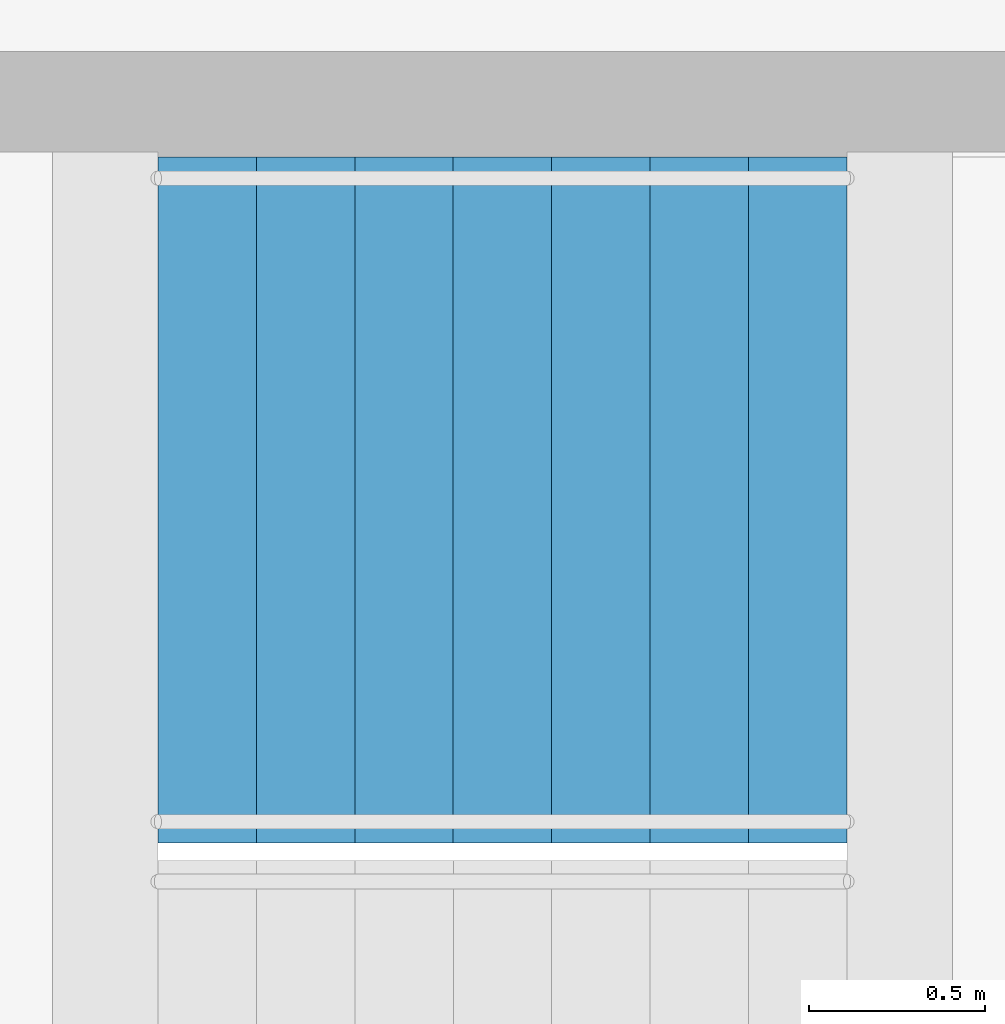
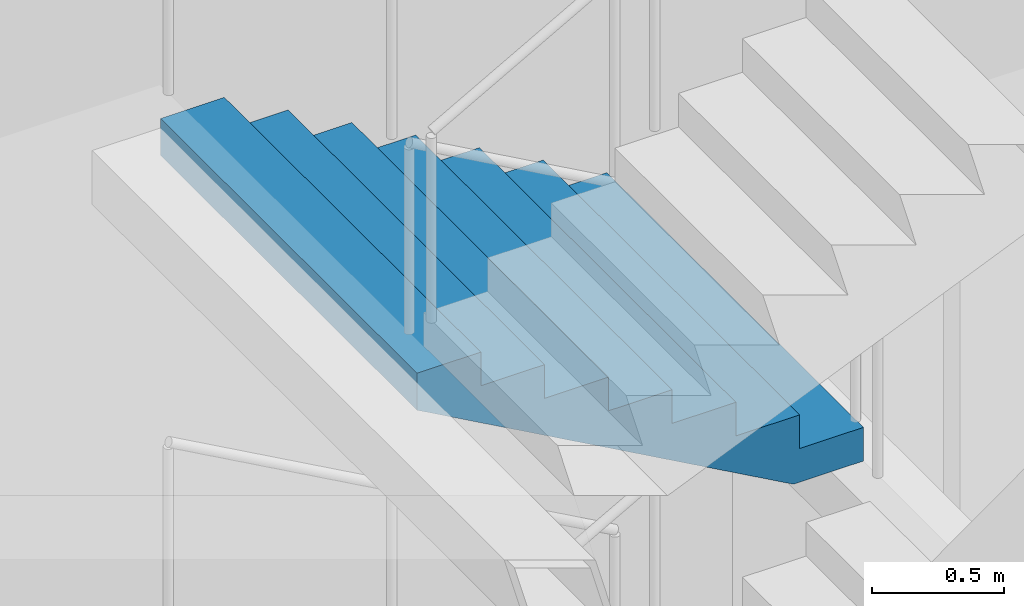
# One storey, part 27 of 37: 1 stair flight, 1 element without a shape of its own.
"""IFC4 building model written with IfcOpenShell, lengths in metres."""

from ifc_helpers import new_model, si_unit, direction, frame, origin, place, context, subcontext, project, spatial, triangles, material, type_object, element, aggregate, save


model = new_model("IFC4")

# Units and contexts
model_context = context("Model", 3, precision=1e-05, world=origin(), true_north=direction((0.0, 1.0)))
body_context = subcontext(model_context, "Body", "Model", "MODEL_VIEW")
ifc_project = project(units=[si_unit("LENGTHUNIT", "METRE"), si_unit("AREAUNIT", "SQUARE_METRE"), si_unit("VOLUMEUNIT", "CUBIC_METRE"), si_unit("PLANEANGLEUNIT", "RADIAN"), si_unit("MASSUNIT", "GRAM", prefix="KILO")], contexts=[model_context])

# Site, building, storey
site_placement = place(None, origin())
site = spatial("IfcSite", under=ifc_project, at=site_placement, CompositionType="ELEMENT")
building_placement = place(site_placement, origin())
building = spatial("IfcBuilding", under=site, at=building_placement, Name="Orbita Commons", CompositionType="ELEMENT")
storey_placement = place(building_placement, frame((0.0, 0.0, 6.0)))
storey = spatial("IfcBuildingStorey", under=building, at=storey_placement, Name="L01", CompositionType="ELEMENT", Elevation=6.0)

# Stair, stair flight
ifc_material_1 = material(Name="Precast concrete C40/50", Category="concrete")
stair_type = type_object("IfcStairType", Name="Exit stair S2 4 flights 8 risers 156", PredefinedType="HALF_TURN_STAIR", material=ifc_material_1)
stair_placement = place(storey_placement, origin())
stair = element("IfcStair", 1, at=stair_placement, inside=storey, type_object=stair_type, Name="Exit stair S2 L01", PredefinedType="HALF_TURN_STAIR")
ifc_material_2 = material(Name="Precast concrete C40/50", Category="concrete")
stair_flight_type = type_object("IfcStairFlightType", Name="Stair flight 8 risers 156 x 280", PredefinedType="STRAIGHT", material=ifc_material_2)
stair_flight_placement = place(storey_placement, frame((63.550048828125, 29.27490234375, 2.5), z_axis=(0.0, 0.0, 1.0), x_axis=(-1.0, 0.0, 0.0)))
stair_flight = element("IfcStairFlight", 2, at=stair_flight_placement, type_object=stair_flight_type, Name="S2 flight 3", NumberOfRisers=8, NumberOfTreads=7, PredefinedType="STRAIGHT", RiserHeight=0.15625, TreadLength=0.28, context=body_context, shape_type="Tessellation", body=[
    triangles([(0.0, 0.974976, 0.0), (0.0, 0.974976, 0.019531), (0.0, 0.81248, 0.019531), (0.0, 0.81248, 0.0), (0.0, 0.649984, 0.019531), (0.0, 0.649984, 0.0), (0.0, 0.487488, 0.019531), (0.0, 0.487488, 0.0), (0.0, 0.324992, 0.019531), (0.0, 0.324992, 0.0), (0.0, 0.162496, 0.019531), (0.0, 0.162496, 0.0), (0.0, 0.0, 0.019531), (0.0, 0.0, 0.0), (0.0, -0.162496, 0.019531), (0.0, -0.162496, 0.0), (0.0, -0.324992, 0.019531), (0.0, -0.324992, 0.0), (0.0, -0.487488, 0.019531), (0.0, -0.487488, 0.0), (0.0, -0.649984, 0.019531), (0.0, -0.649984, 0.0), (0.0, -0.81248, 0.019531), (0.0, -0.81248, 0.0), (0.0, -0.974976, 0.019531), (0.0, -0.974976, 0.0), (0.0, 0.974976, 0.039062), (0.0, 0.81248, 0.039062), (0.0, 0.649984, 0.039062), (0.0, 0.487488, 0.039062), (0.0, 0.324992, 0.039062), (0.0, 0.162496, 0.039062), (0.0, 0.0, 0.039062), (0.0, -0.162496, 0.039062), (0.0, -0.324992, 0.039062), (0.0, -0.487488, 0.039062), (0.0, -0.649984, 0.039062), (0.0, -0.81248, 0.039062), (0.0, -0.974976, 0.039062), (0.0, 0.974976, 0.058594), (0.0, 0.81248, 0.058594), (0.0, 0.649984, 0.058594), (0.0, 0.487488, 0.058594), (0.0, 0.324992, 0.058594), (0.0, 0.162496, 0.058594), (0.0, 0.0, 0.058594), (0.0, -0.162496, 0.058594), (0.0, -0.324992, 0.058594), (0.0, -0.487488, 0.058594), (0.0, -0.649984, 0.058594), (0.0, -0.81248, 0.058594), (0.0, -0.974976, 0.058594), (0.0, 0.974976, 0.078125), (0.0, 0.81248, 0.078125), (0.0, 0.649984, 0.078125), (0.0, 0.487488, 0.078125), (0.0, 0.324992, 0.078125), (0.0, 0.162496, 0.078125), (0.0, 0.0, 0.078125), (0.0, -0.162496, 0.078125), (0.0, -0.324992, 0.078125), (0.0, -0.487488, 0.078125), (0.0, -0.649984, 0.078125), (0.0, -0.81248, 0.078125), (0.0, -0.974976, 0.078125), (0.0, 0.974976, 0.097656), (0.0, 0.81248, 0.097656), (0.0, 0.649984, 0.097656), (0.0, 0.487488, 0.097656), (0.0, 0.324992, 0.097656), (0.0, 0.162496, 0.097656), (0.0, 0.0, 0.097656), (0.0, -0.162496, 0.097656), (0.0, -0.324992, 0.097656), (0.0, -0.487488, 0.097656), (0.0, -0.649984, 0.097656), (0.0, -0.81248, 0.097656), (0.0, -0.974976, 0.097656), (0.0, 0.974976, 0.117188), (0.0, 0.81248, 0.117188), (0.0, 0.649984, 0.117188), (0.0, 0.487488, 0.117188), (0.0, 0.324992, 0.117188), (0.0, 0.162496, 0.117188), (0.0, 0.0, 0.117188), (0.0, -0.162496, 0.117188), (0.0, -0.324992, 0.117188), (0.0, -0.487488, 0.117188), (0.0, -0.649984, 0.117188), (0.0, -0.81248, 0.117188), (0.0, -0.974976, 0.117188), (0.0, 0.974976, 0.136719), (0.0, 0.81248, 0.136719), (0.0, 0.649984, 0.136719), (0.0, 0.487488, 0.136719), (0.0, 0.324992, 0.136719), (0.0, 0.162496, 0.136719), (0.0, 0.0, 0.136719), (0.0, -0.162496, 0.136719), (0.0, -0.324992, 0.136719), (0.0, -0.487488, 0.136719), (0.0, -0.649984, 0.136719), (0.0, -0.81248, 0.136719), (0.0, -0.974976, 0.136719), (0.0, 0.974976, 0.15625), (0.0, 0.81248, 0.15625), (0.0, 0.649984, 0.15625), (0.0, 0.487488, 0.15625), (0.0, 0.324992, 0.15625), (0.0, 0.162496, 0.15625), (0.0, 0.0, 0.15625), (0.0, -0.162496, 0.15625), (0.0, -0.324992, 0.15625), (0.0, -0.487488, 0.15625), (0.0, -0.649984, 0.15625), (0.0, -0.81248, 0.15625), (0.0, -0.974976, 0.15625), (0.28, 0.974976, 0.15625), (0.28, 0.81248, 0.15625), (0.28, 0.649984, 0.15625), (0.28, 0.487488, 0.15625), (0.28, 0.324992, 0.15625), (0.28, 0.162496, 0.15625), (0.28, 0.0, 0.15625), (0.28, -0.162496, 0.15625), (0.28, -0.324992, 0.15625), (0.28, -0.487488, 0.15625), (0.28, -0.649984, 0.15625), (0.28, -0.81248, 0.15625), (0.28, -0.974976, 0.15625), (0.28, 0.974976, 0.3125), (0.28, 0.81248, 0.3125), (0.28, 0.649984, 0.3125), (0.28, 0.487488, 0.3125), (0.28, 0.324992, 0.3125), (0.28, 0.162496, 0.3125), (0.28, 0.0, 0.3125), (0.28, -0.162496, 0.3125), (0.28, -0.324992, 0.3125), (0.28, -0.487488, 0.3125), (0.28, -0.649984, 0.3125), (0.28, -0.81248, 0.3125), (0.28, -0.974976, 0.3125), (0.56, 0.974976, 0.3125), (0.56, 0.81248, 0.3125), (0.56, 0.649984, 0.3125), (0.56, 0.487488, 0.3125), (0.56, 0.324992, 0.3125), (0.56, 0.162496, 0.3125), (0.56, 0.0, 0.3125), (0.56, -0.162496, 0.3125), (0.56, -0.324992, 0.3125), (0.56, -0.487488, 0.3125), (0.56, -0.649984, 0.3125), (0.56, -0.81248, 0.3125), (0.56, -0.974976, 0.3125), (0.56, 0.974976, 0.46875), (0.56, 0.81248, 0.46875), (0.56, 0.649984, 0.46875), (0.56, 0.487488, 0.46875), (0.56, 0.324992, 0.46875), (0.56, 0.162496, 0.46875), (0.56, 0.0, 0.46875), (0.56, -0.162496, 0.46875), (0.56, -0.324992, 0.46875), (0.56, -0.487488, 0.46875), (0.56, -0.649984, 0.46875), (0.56, -0.81248, 0.46875), (0.56, -0.974976, 0.46875), (0.84, 0.974976, 0.46875), (0.84, 0.81248, 0.46875), (0.84, 0.649984, 0.46875), (0.84, 0.487488, 0.46875), (0.84, 0.324992, 0.46875), (0.84, 0.162496, 0.46875), (0.84, 0.0, 0.46875), (0.84, -0.162496, 0.46875), (0.84, -0.324992, 0.46875), (0.84, -0.487488, 0.46875), (0.84, -0.649984, 0.46875), (0.84, -0.81248, 0.46875), (0.84, -0.974976, 0.46875), (0.84, 0.974976, 0.625), (0.84, 0.81248, 0.625), (0.84, 0.649984, 0.625), (0.84, 0.487488, 0.625), (0.84, 0.324992, 0.625), (0.84, 0.162496, 0.625), (0.84, 0.0, 0.625), (0.84, -0.162496, 0.625), (0.84, -0.324992, 0.625), (0.84, -0.487488, 0.625), (0.84, -0.649984, 0.625), (0.84, -0.81248, 0.625), (0.84, -0.974976, 0.625), (1.12, 0.974976, 0.625), (1.12, 0.81248, 0.625), (1.12, 0.649984, 0.625), (1.12, 0.487488, 0.625), (1.12, 0.324992, 0.625), (1.12, 0.162496, 0.625), (1.12, 0.0, 0.625), (1.12, -0.162496, 0.625), (1.12, -0.324992, 0.625), (1.12, -0.487488, 0.625), (1.12, -0.649984, 0.625), (1.12, -0.81248, 0.625), (1.12, -0.974976, 0.625), (1.12, 0.974976, 0.78125), (1.12, 0.81248, 0.78125), (1.12, 0.649984, 0.78125), (1.12, 0.487488, 0.78125), (1.12, 0.324992, 0.78125), (1.12, 0.162496, 0.78125), (1.12, 0.0, 0.78125), (1.12, -0.162496, 0.78125), (1.12, -0.324992, 0.78125), (1.12, -0.487488, 0.78125), (1.12, -0.649984, 0.78125), (1.12, -0.81248, 0.78125), (1.12, -0.974976, 0.78125), (1.4, 0.974976, 0.78125), (1.4, 0.81248, 0.78125), (1.4, 0.649984, 0.78125), (1.4, 0.487488, 0.78125), (1.4, 0.324992, 0.78125), (1.4, 0.162496, 0.78125), (1.4, 0.0, 0.78125), (1.4, -0.162496, 0.78125), (1.4, -0.324992, 0.78125), (1.4, -0.487488, 0.78125), (1.4, -0.649984, 0.78125), (1.4, -0.81248, 0.78125), (1.4, -0.974976, 0.78125), (1.4, 0.974976, 0.9375), (1.4, 0.81248, 0.9375), (1.4, 0.649984, 0.9375), (1.4, 0.487488, 0.9375), (1.4, 0.324992, 0.9375), (1.4, 0.162496, 0.9375), (1.4, 0.0, 0.9375), (1.4, -0.162496, 0.9375), (1.4, -0.324992, 0.9375), (1.4, -0.487488, 0.9375), (1.4, -0.649984, 0.9375), (1.4, -0.81248, 0.9375), (1.4, -0.974976, 0.9375), (1.68, 0.974976, 0.9375), (1.68, 0.81248, 0.9375), (1.68, 0.649984, 0.9375), (1.68, 0.487488, 0.9375), (1.68, 0.324992, 0.9375), (1.68, 0.162496, 0.9375), (1.68, 0.0, 0.9375), (1.68, -0.162496, 0.9375), (1.68, -0.324992, 0.9375), (1.68, -0.487488, 0.9375), (1.68, -0.649984, 0.9375), (1.68, -0.81248, 0.9375), (1.68, -0.974976, 0.9375), (1.68, 0.974976, 1.09375), (1.68, 0.81248, 1.09375), (1.68, 0.649984, 1.09375), (1.68, 0.487488, 1.09375), (1.68, 0.324992, 1.09375), (1.68, 0.162496, 1.09375), (1.68, 0.0, 1.09375), (1.68, -0.162496, 1.09375), (1.68, -0.324992, 1.09375), (1.68, -0.487488, 1.09375), (1.68, -0.649984, 1.09375), (1.68, -0.81248, 1.09375), (1.68, -0.974976, 1.09375), (1.96, 0.974976, 1.09375), (1.96, 0.81248, 1.09375), (1.96, 0.649984, 1.09375), (1.96, 0.487488, 1.09375), (1.96, 0.324992, 1.09375), (1.96, 0.162496, 1.09375), (1.96, 0.0, 1.09375), (1.96, -0.162496, 1.09375), (1.96, -0.324992, 1.09375), (1.96, -0.487488, 1.09375), (1.96, -0.649984, 1.09375), (1.96, -0.81248, 1.09375), (1.96, -0.974976, 1.09375), (1.96, 0.974976, 1.072292), (1.96, 0.81248, 1.072292), (1.96, 0.649984, 1.072292), (1.96, 0.487488, 1.072292), (1.96, 0.324992, 1.072292), (1.96, 0.162496, 1.072292), (1.96, 0.0, 1.072292), (1.96, -0.162496, 1.072292), (1.96, -0.324992, 1.072292), (1.96, -0.487488, 1.072292), (1.96, -0.649984, 1.072292), (1.96, -0.81248, 1.072292), (1.96, -0.974976, 1.072292), (1.96, 0.974976, 1.050834), (1.96, 0.81248, 1.050834), (1.96, 0.649984, 1.050834), (1.96, 0.487488, 1.050834), (1.96, 0.324992, 1.050834), (1.96, 0.162496, 1.050834), (1.96, 0.0, 1.050834), (1.96, -0.162496, 1.050834), (1.96, -0.324992, 1.050834), (1.96, -0.487488, 1.050834), (1.96, -0.649984, 1.050834), (1.96, -0.81248, 1.050834), (1.96, -0.974976, 1.050834), (1.96, 0.974976, 1.029376), (1.96, 0.81248, 1.029376), (1.96, 0.649984, 1.029376), (1.96, 0.487488, 1.029376), (1.96, 0.324992, 1.029376), (1.96, 0.162496, 1.029376), (1.96, 0.0, 1.029376), (1.96, -0.162496, 1.029376), (1.96, -0.324992, 1.029376), (1.96, -0.487488, 1.029376), (1.96, -0.649984, 1.029376), (1.96, -0.81248, 1.029376), (1.96, -0.974976, 1.029376), (1.96, 0.974976, 1.007919), (1.96, 0.81248, 1.007919), (1.96, 0.649984, 1.007919), (1.96, 0.487488, 1.007919), (1.96, 0.324992, 1.007919), (1.96, 0.162496, 1.007919), (1.96, 0.0, 1.007919), (1.96, -0.162496, 1.007919), (1.96, -0.324992, 1.007919), (1.96, -0.487488, 1.007919), (1.96, -0.649984, 1.007919), (1.96, -0.81248, 1.007919), (1.96, -0.974976, 1.007919), (1.96, 0.974976, 0.986461), (1.96, 0.81248, 0.986461), (1.96, 0.649984, 0.986461), (1.96, 0.487488, 0.986461), (1.96, 0.324992, 0.986461), (1.96, 0.162496, 0.986461), (1.96, 0.0, 0.986461), (1.96, -0.162496, 0.986461), (1.96, -0.324992, 0.986461), (1.96, -0.487488, 0.986461), (1.96, -0.649984, 0.986461), (1.96, -0.81248, 0.986461), (1.96, -0.974976, 0.986461), (1.96, 0.974976, 0.965003), (1.96, 0.81248, 0.965003), (1.96, 0.649984, 0.965003), (1.96, 0.487488, 0.965003), (1.96, 0.324992, 0.965003), (1.96, 0.162496, 0.965003), (1.96, 0.0, 0.965003), (1.96, -0.162496, 0.965003), (1.96, -0.324992, 0.965003), (1.96, -0.487488, 0.965003), (1.96, -0.649984, 0.965003), (1.96, -0.81248, 0.965003), (1.96, -0.974976, 0.965003), (1.96, 0.974976, 0.943545), (1.96, 0.81248, 0.943545), (1.96, 0.649984, 0.943545), (1.96, 0.487488, 0.943545), (1.96, 0.324992, 0.943545), (1.96, 0.162496, 0.943545), (1.96, 0.0, 0.943545), (1.96, -0.162496, 0.943545), (1.96, -0.324992, 0.943545), (1.96, -0.487488, 0.943545), (1.96, -0.649984, 0.943545), (1.96, -0.81248, 0.943545), (1.96, -0.974976, 0.943545), (1.96, 0.974976, 0.922087), (1.96, 0.81248, 0.922087), (1.96, 0.649984, 0.922087), (1.96, 0.487488, 0.922087), (1.96, 0.324992, 0.922087), (1.96, 0.162496, 0.922087), (1.96, 0.0, 0.922087), (1.96, -0.162496, 0.922087), (1.96, -0.324992, 0.922087), (1.96, -0.487488, 0.922087), (1.96, -0.649984, 0.922087), (1.96, -0.81248, 0.922087), (1.96, -0.974976, 0.922087), (0.30762, 0.974976, 0.0), (0.30762, 0.81248, 0.0), (0.30762, 0.649984, 0.0), (0.30762, 0.487488, 0.0), (0.30762, 0.324992, 0.0), (0.30762, 0.162496, 0.0), (0.30762, 0.0, 0.0), (0.30762, -0.162496, 0.0), (0.30762, -0.324992, 0.0), (0.30762, -0.487488, 0.0), (0.30762, -0.649984, 0.0), (0.30762, -0.81248, 0.0), (0.30762, -0.974976, 0.0)], [[3, 2, 1], [4, 3, 1], [5, 3, 4], [6, 5, 4], [7, 5, 6], [8, 7, 6], [9, 7, 8], [10, 9, 8], [11, 9, 10], [12, 11, 10], [13, 11, 12], [14, 13, 12], [15, 13, 14], [16, 15, 14], [17, 15, 16], [18, 17, 16], [19, 17, 18], [20, 19, 18], [21, 19, 20], [22, 21, 20], [23, 21, 22], [24, 23, 22], [25, 23, 24], [26, 25, 24], [28, 27, 2], [3, 28, 2], [29, 28, 3], [5, 29, 3], [30, 29, 5], [7, 30, 5], [31, 30, 7], [9, 31, 7], [32, 31, 9], [11, 32, 9], [33, 32, 11], [13, 33, 11], [34, 33, 13], [15, 34, 13], [35, 34, 15], [17, 35, 15], [36, 35, 17], [19, 36, 17], [37, 36, 19], [21, 37, 19], [38, 37, 21], [23, 38, 21], [39, 38, 23], [25, 39, 23], [41, 40, 27], [28, 41, 27], [42, 41, 28], [29, 42, 28], [43, 42, 29], [30, 43, 29], [44, 43, 30], [31, 44, 30], [45, 44, 31], [32, 45, 31], [46, 45, 32], [33, 46, 32], [47, 46, 33], [34, 47, 33], [48, 47, 34], [35, 48, 34], [49, 48, 35], [36, 49, 35], [50, 49, 36], [37, 50, 36], [51, 50, 37], [38, 51, 37], [52, 51, 38], [39, 52, 38], [54, 53, 40], [41, 54, 40], [55, 54, 41], [42, 55, 41], [56, 55, 42], [43, 56, 42], [57, 56, 43], [44, 57, 43], [58, 57, 44], [45, 58, 44], [59, 58, 45], [46, 59, 45], [60, 59, 46], [47, 60, 46], [61, 60, 47], [48, 61, 47], [62, 61, 48], [49, 62, 48], [63, 62, 49], [50, 63, 49], [64, 63, 50], [51, 64, 50], [65, 64, 51], [52, 65, 51], [67, 66, 53], [54, 67, 53], [68, 67, 54], [55, 68, 54], [69, 68, 55], [56, 69, 55], [70, 69, 56], [57, 70, 56], [71, 70, 57], [58, 71, 57], [72, 71, 58], [59, 72, 58], [73, 72, 59], [60, 73, 59], [74, 73, 60], [61, 74, 60], [75, 74, 61], [62, 75, 61], [76, 75, 62], [63, 76, 62], [77, 76, 63], [64, 77, 63], [78, 77, 64], [65, 78, 64], [80, 79, 66], [67, 80, 66], [81, 80, 67], [68, 81, 67], [82, 81, 68], [69, 82, 68], [83, 82, 69], [70, 83, 69], [84, 83, 70], [71, 84, 70], [85, 84, 71], [72, 85, 71], [86, 85, 72], [73, 86, 72], [87, 86, 73], [74, 87, 73], [88, 87, 74], [75, 88, 74], [89, 88, 75], [76, 89, 75], [90, 89, 76], [77, 90, 76], [91, 90, 77], [78, 91, 77], [93, 92, 79], [80, 93, 79], [94, 93, 80], [81, 94, 80], [95, 94, 81], [82, 95, 81], [96, 95, 82], [83, 96, 82], [97, 96, 83], [84, 97, 83], [98, 97, 84], [85, 98, 84], [99, 98, 85], [86, 99, 85], [100, 99, 86], [87, 100, 86], [101, 100, 87], [88, 101, 87], [102, 101, 88], [89, 102, 88], [103, 102, 89], [90, 103, 89], [104, 103, 90], [91, 104, 90], [106, 105, 92], [93, 106, 92], [107, 106, 93], [94, 107, 93], [108, 107, 94], [95, 108, 94], [109, 108, 95], [96, 109, 95], [110, 109, 96], [97, 110, 96], [111, 110, 97], [98, 111, 97], [112, 111, 98], [99, 112, 98], [113, 112, 99], [100, 113, 99], [114, 113, 100], [101, 114, 100], [115, 114, 101], [102, 115, 101], [116, 115, 102], [103, 116, 102], [117, 116, 103], [104, 117, 103], [119, 118, 105], [106, 119, 105], [120, 119, 106], [107, 120, 106], [121, 120, 107], [108, 121, 107], [122, 121, 108], [109, 122, 108], [123, 122, 109], [110, 123, 109], [124, 123, 110], [111, 124, 110], [125, 124, 111], [112, 125, 111], [126, 125, 112], [113, 126, 112], [127, 126, 113], [114, 127, 113], [128, 127, 114], [115, 128, 114], [129, 128, 115], [116, 129, 115], [130, 129, 116], [117, 130, 116], [132, 131, 118], [119, 132, 118], [133, 132, 119], [120, 133, 119], [134, 133, 120], [121, 134, 120], [135, 134, 121], [122, 135, 121], [136, 135, 122], [123, 136, 122], [137, 136, 123], [124, 137, 123], [138, 137, 124], [125, 138, 124], [139, 138, 125], [126, 139, 125], [140, 139, 126], [127, 140, 126], [141, 140, 127], [128, 141, 127], [142, 141, 128], [129, 142, 128], [143, 142, 129], [130, 143, 129], [145, 144, 131], [132, 145, 131], [146, 145, 132], [133, 146, 132], [147, 146, 133], [134, 147, 133], [148, 147, 134], [135, 148, 134], [149, 148, 135], [136, 149, 135], [150, 149, 136], [137, 150, 136], [151, 150, 137], [138, 151, 137], [152, 151, 138], [139, 152, 138], [153, 152, 139], [140, 153, 139], [154, 153, 140], [141, 154, 140], [155, 154, 141], [142, 155, 141], [156, 155, 142], [143, 156, 142], [158, 157, 144], [145, 158, 144], [159, 158, 145], [146, 159, 145], [160, 159, 146], [147, 160, 146], [161, 160, 147], [148, 161, 147], [162, 161, 148], [149, 162, 148], [163, 162, 149], [150, 163, 149], [164, 163, 150], [151, 164, 150], [165, 164, 151], [152, 165, 151], [166, 165, 152], [153, 166, 152], [167, 166, 153], [154, 167, 153], [168, 167, 154], [155, 168, 154], [169, 168, 155], [156, 169, 155], [171, 170, 157], [158, 171, 157], [172, 171, 158], [159, 172, 158], [173, 172, 159], [160, 173, 159], [174, 173, 160], [161, 174, 160], [175, 174, 161], [162, 175, 161], [176, 175, 162], [163, 176, 162], [177, 176, 163], [164, 177, 163], [178, 177, 164], [165, 178, 164], [179, 178, 165], [166, 179, 165], [180, 179, 166], [167, 180, 166], [181, 180, 167], [168, 181, 167], [182, 181, 168], [169, 182, 168], [184, 183, 170], [171, 184, 170], [185, 184, 171], [172, 185, 171], [186, 185, 172], [173, 186, 172], [187, 186, 173], [174, 187, 173], [188, 187, 174], [175, 188, 174], [189, 188, 175], [176, 189, 175], [190, 189, 176], [177, 190, 176], [191, 190, 177], [178, 191, 177], [192, 191, 178], [179, 192, 178], [193, 192, 179], [180, 193, 179], [194, 193, 180], [181, 194, 180], [195, 194, 181], [182, 195, 181], [197, 196, 183], [184, 197, 183], [198, 197, 184], [185, 198, 184], [199, 198, 185], [186, 199, 185], [200, 199, 186], [187, 200, 186], [201, 200, 187], [188, 201, 187], [202, 201, 188], [189, 202, 188], [203, 202, 189], [190, 203, 189], [204, 203, 190], [191, 204, 190], [205, 204, 191], [192, 205, 191], [206, 205, 192], [193, 206, 192], [207, 206, 193], [194, 207, 193], [208, 207, 194], [195, 208, 194], [210, 209, 196], [197, 210, 196], [211, 210, 197], [198, 211, 197], [212, 211, 198], [199, 212, 198], [213, 212, 199], [200, 213, 199], [214, 213, 200], [201, 214, 200], [215, 214, 201], [202, 215, 201], [216, 215, 202], [203, 216, 202], [217, 216, 203], [204, 217, 203], [218, 217, 204], [205, 218, 204], [219, 218, 205], [206, 219, 205], [220, 219, 206], [207, 220, 206], [221, 220, 207], [208, 221, 207], [223, 222, 209], [210, 223, 209], [224, 223, 210], [211, 224, 210], [225, 224, 211], [212, 225, 211], [226, 225, 212], [213, 226, 212], [227, 226, 213], [214, 227, 213], [228, 227, 214], [215, 228, 214], [229, 228, 215], [216, 229, 215], [230, 229, 216], [217, 230, 216], [231, 230, 217], [218, 231, 217], [232, 231, 218], [219, 232, 218], [233, 232, 219], [220, 233, 219], [234, 233, 220], [221, 234, 220], [236, 235, 222], [223, 236, 222], [237, 236, 223], [224, 237, 223], [238, 237, 224], [225, 238, 224], [239, 238, 225], [226, 239, 225], [240, 239, 226], [227, 240, 226], [241, 240, 227], [228, 241, 227], [242, 241, 228], [229, 242, 228], [243, 242, 229], [230, 243, 229], [244, 243, 230], [231, 244, 230], [245, 244, 231], [232, 245, 231], [246, 245, 232], [233, 246, 232], [247, 246, 233], [234, 247, 233], [249, 248, 235], [236, 249, 235], [250, 249, 236], [237, 250, 236], [251, 250, 237], [238, 251, 237], [252, 251, 238], [239, 252, 238], [253, 252, 239], [240, 253, 239], [254, 253, 240], [241, 254, 240], [255, 254, 241], [242, 255, 241], [256, 255, 242], [243, 256, 242], [257, 256, 243], [244, 257, 243], [258, 257, 244], [245, 258, 244], [259, 258, 245], [246, 259, 245], [260, 259, 246], [247, 260, 246], [262, 261, 248], [249, 262, 248], [263, 262, 249], [250, 263, 249], [264, 263, 250], [251, 264, 250], [265, 264, 251], [252, 265, 251], [266, 265, 252], [253, 266, 252], [267, 266, 253], [254, 267, 253], [268, 267, 254], [255, 268, 254], [269, 268, 255], [256, 269, 255], [270, 269, 256], [257, 270, 256], [271, 270, 257], [258, 271, 257], [272, 271, 258], [259, 272, 258], [273, 272, 259], [260, 273, 259], [275, 274, 261], [262, 275, 261], [276, 275, 262], [263, 276, 262], [277, 276, 263], [264, 277, 263], [278, 277, 264], [265, 278, 264], [279, 278, 265], [266, 279, 265], [280, 279, 266], [267, 280, 266], [281, 280, 267], [268, 281, 267], [282, 281, 268], [269, 282, 268], [283, 282, 269], [270, 283, 269], [284, 283, 270], [271, 284, 270], [285, 284, 271], [272, 285, 271], [286, 285, 272], [273, 286, 272], [288, 287, 274], [275, 288, 274], [289, 288, 275], [276, 289, 275], [290, 289, 276], [277, 290, 276], [291, 290, 277], [278, 291, 277], [292, 291, 278], [279, 292, 278], [293, 292, 279], [280, 293, 279], [294, 293, 280], [281, 294, 280], [295, 294, 281], [282, 295, 281], [296, 295, 282], [283, 296, 282], [297, 296, 283], [284, 297, 283], [298, 297, 284], [285, 298, 284], [299, 298, 285], [286, 299, 285], [301, 300, 287], [288, 301, 287], [302, 301, 288], [289, 302, 288], [303, 302, 289], [290, 303, 289], [304, 303, 290], [291, 304, 290], [305, 304, 291], [292, 305, 291], [306, 305, 292], [293, 306, 292], [307, 306, 293], [294, 307, 293], [308, 307, 294], [295, 308, 294], [309, 308, 295], [296, 309, 295], [310, 309, 296], [297, 310, 296], [311, 310, 297], [298, 311, 297], [312, 311, 298], [299, 312, 298], [314, 313, 300], [301, 314, 300], [315, 314, 301], [302, 315, 301], [316, 315, 302], [303, 316, 302], [317, 316, 303], [304, 317, 303], [318, 317, 304], [305, 318, 304], [319, 318, 305], [306, 319, 305], [320, 319, 306], [307, 320, 306], [321, 320, 307], [308, 321, 307], [322, 321, 308], [309, 322, 308], [323, 322, 309], [310, 323, 309], [324, 323, 310], [311, 324, 310], [325, 324, 311], [312, 325, 311], [327, 326, 313], [314, 327, 313], [328, 327, 314], [315, 328, 314], [329, 328, 315], [316, 329, 315], [330, 329, 316], [317, 330, 316], [331, 330, 317], [318, 331, 317], [332, 331, 318], [319, 332, 318], [333, 332, 319], [320, 333, 319], [334, 333, 320], [321, 334, 320], [335, 334, 321], [322, 335, 321], [336, 335, 322], [323, 336, 322], [337, 336, 323], [324, 337, 323], [338, 337, 324], [325, 338, 324], [340, 339, 326], [327, 340, 326], [341, 340, 327], [328, 341, 327], [342, 341, 328], [329, 342, 328], [343, 342, 329], [330, 343, 329], [344, 343, 330], [331, 344, 330], [345, 344, 331], [332, 345, 331], [346, 345, 332], [333, 346, 332], [347, 346, 333], [334, 347, 333], [348, 347, 334], [335, 348, 334], [349, 348, 335], [336, 349, 335], [350, 349, 336], [337, 350, 336], [351, 350, 337], [338, 351, 337], [353, 352, 339], [340, 353, 339], [354, 353, 340], [341, 354, 340], [355, 354, 341], [342, 355, 341], [356, 355, 342], [343, 356, 342], [357, 356, 343], [344, 357, 343], [358, 357, 344], [345, 358, 344], [359, 358, 345], [346, 359, 345], [360, 359, 346], [347, 360, 346], [361, 360, 347], [348, 361, 347], [362, 361, 348], [349, 362, 348], [363, 362, 349], [350, 363, 349], [364, 363, 350], [351, 364, 350], [366, 365, 352], [353, 366, 352], [367, 366, 353], [354, 367, 353], [368, 367, 354], [355, 368, 354], [369, 368, 355], [356, 369, 355], [370, 369, 356], [357, 370, 356], [371, 370, 357], [358, 371, 357], [372, 371, 358], [359, 372, 358], [373, 372, 359], [360, 373, 359], [374, 373, 360], [361, 374, 360], [375, 374, 361], [362, 375, 361], [376, 375, 362], [363, 376, 362], [377, 376, 363], [364, 377, 363], [379, 378, 365], [366, 379, 365], [380, 379, 366], [367, 380, 366], [381, 380, 367], [368, 381, 367], [382, 381, 368], [369, 382, 368], [383, 382, 369], [370, 383, 369], [384, 383, 370], [371, 384, 370], [385, 384, 371], [372, 385, 371], [386, 385, 372], [373, 386, 372], [387, 386, 373], [374, 387, 373], [388, 387, 374], [375, 388, 374], [389, 388, 375], [376, 389, 375], [390, 389, 376], [377, 390, 376], [392, 391, 378], [379, 392, 378], [393, 392, 379], [380, 393, 379], [394, 393, 380], [381, 394, 380], [395, 394, 381], [382, 395, 381], [396, 395, 382], [383, 396, 382], [397, 396, 383], [384, 397, 383], [398, 397, 384], [385, 398, 384], [399, 398, 385], [386, 399, 385], [400, 399, 386], [387, 400, 386], [401, 400, 387], [388, 401, 387], [402, 401, 388], [389, 402, 388], [403, 402, 389], [390, 403, 389], [4, 1, 391], [392, 4, 391], [6, 4, 392], [393, 6, 392], [8, 6, 393], [394, 8, 393], [10, 8, 394], [395, 10, 394], [12, 10, 395], [396, 12, 395], [14, 12, 396], [397, 14, 396], [16, 14, 397], [398, 16, 397], [18, 16, 398], [399, 18, 398], [20, 18, 399], [400, 20, 399], [22, 20, 400], [401, 22, 400], [24, 22, 401], [402, 24, 401], [26, 24, 402], [403, 26, 402], [378, 391, 1], [26, 403, 390], [365, 378, 1], [26, 390, 377], [352, 365, 1], [26, 377, 364], [339, 352, 1], [26, 364, 351], [326, 339, 1], [26, 351, 338], [313, 326, 1], [26, 338, 325], [300, 313, 1], [26, 325, 312], [287, 300, 1], [26, 312, 299], [261, 274, 287], [299, 286, 273], [248, 261, 287], [299, 273, 260], [222, 235, 248], [260, 247, 234], [222, 248, 287], [299, 260, 234], [196, 209, 222], [234, 221, 208], [196, 222, 287], [299, 234, 208], [170, 183, 196], [208, 195, 182], [170, 196, 287], [299, 208, 182], [144, 157, 170], [182, 169, 156], [144, 170, 287], [299, 182, 156], [118, 131, 144], [156, 143, 130], [118, 144, 287], [299, 156, 130], [118, 287, 1], [26, 299, 130], [92, 105, 118], [130, 117, 104], [79, 92, 118], [130, 104, 91], [66, 79, 118], [130, 91, 78], [53, 66, 118], [130, 78, 65], [40, 53, 118], [130, 65, 52], [27, 40, 118], [130, 52, 39], [2, 27, 118], [130, 39, 25], [1, 2, 118], [130, 25, 26]], closed=True),
])
aggregate(stair, [stair_flight])

save(model, "model.ifc")
